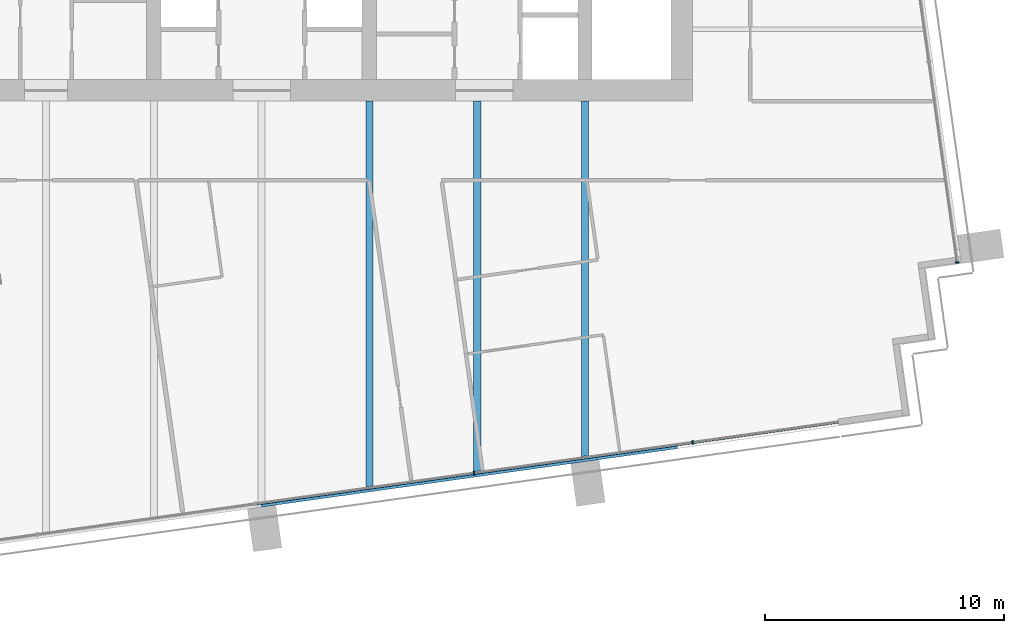
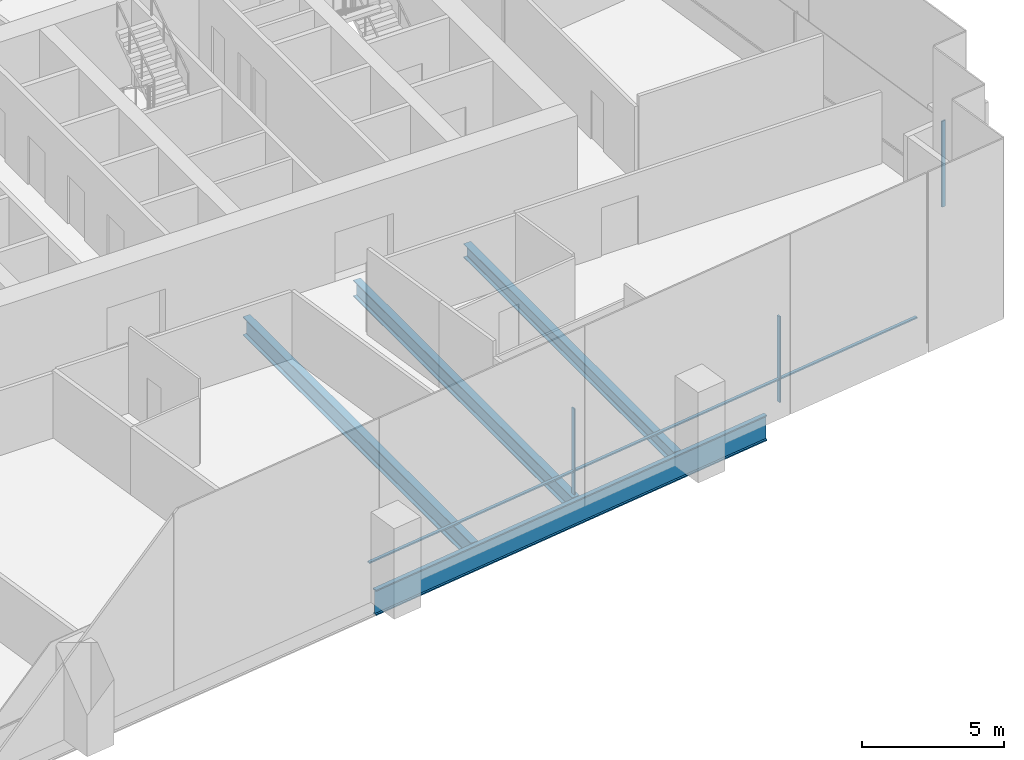
# One storey, part 4 of 17: 6 members, 4 beams, 2 elements without a shape of their own.
"""IFC4 building model written with IfcOpenShell, lengths in metres."""

from ifc_helpers import new_model, si_unit, direction, frame, origin, origin_2d, place, context, subcontext, project, spatial, rectangle, i_section, extrude, material, material_profile, profile_set, type_object, element, aggregate, save


model = new_model("IFC4")

# Units and contexts
model_context = context("Model", 3, precision=1e-05, world=origin(), true_north=direction((0.0, 1.0)))
body_context = subcontext(model_context, "Body", "Model", "MODEL_VIEW")
ifc_project = project(units=[si_unit("LENGTHUNIT", "METRE"), si_unit("AREAUNIT", "SQUARE_METRE"), si_unit("VOLUMEUNIT", "CUBIC_METRE"), si_unit("PLANEANGLEUNIT", "RADIAN"), si_unit("MASSUNIT", "GRAM", prefix="KILO")], contexts=[model_context])

# Site, building, storey
site_placement = place(None, origin())
site = spatial("IfcSite", under=ifc_project, at=site_placement, CompositionType="ELEMENT")
building_placement = place(site_placement, origin())
building = spatial("IfcBuilding", under=site, at=building_placement, Name="Rattan Terrace Tower", CompositionType="ELEMENT")
storey_placement = place(building_placement, frame((0.0, 0.0, 191.89990234375)))
storey = spatial("IfcBuildingStorey", under=building, at=storey_placement, Name="L44", CompositionType="ELEMENT", Elevation=191.89990234375)

# Curtain wall, member
ifc_material_1 = material(Name="Aluminium and glass", Category="aluminium")
curtain_wall_type = type_object("IfcCurtainWallType", Name="Facade Unitised Curtain Wall", PredefinedType="NOTDEFINED", material=ifc_material_1)
curtain_wall_1_placement = place(storey_placement, origin())
curtain_wall_1 = element("IfcCurtainWall", 1, at=curtain_wall_1_placement, inside=storey, type_object=curtain_wall_type, Name="Curtain wall L44-1", PredefinedType="NOTDEFINED")
ifc_material_2 = material(Name="Aluminium", Category="aluminium")
ifc_material_profile_1 = material_profile(ifc_material_2, rectangle(XDim=0.06005859375, YDim=0.159912109375, at=origin_2d()), Name="Aluminium 60x160")
ifc_profile_set_1 = profile_set([ifc_material_profile_1], Name="Aluminium")
member_type_1 = type_object("IfcMemberType", Name="Facade CW Mullion 60x160", PredefinedType="MULLION", material=ifc_profile_set_1)
member_1_placement = place(storey_placement, frame((29.037109375, -14.2333984375, 0.0), z_axis=(0.0, 0.0, 1.0), x_axis=(-0.139190856006, 0.99026557327, 0.0)))
member_1 = element("IfcMember", 2, at=member_1_placement, type_object=member_type_1, Name="Mullion cwl-L44-001.1", PredefinedType="MULLION", context=body_context, shape_type="SweptSolid", body=[
    extrude(rectangle(XDim=0.06005859375, YDim=0.159912109375, at=origin_2d()), origin(), (0.0, 0.0, 1.0), 3.7001953125),
])
aggregate(curtain_wall_1, [member_1])

# Curtain wall, members
curtain_wall_2_placement = place(storey_placement, origin())
curtain_wall_2 = element("IfcCurtainWall", 3, at=curtain_wall_2_placement, inside=storey, type_object=curtain_wall_type, Name="Curtain wall L44-4", PredefinedType="NOTDEFINED")
member_2_placement = place(storey_placement, frame((8.873291015625, -23.0302734375, 0.0), z_axis=(0.0, 0.0, 1.0), x_axis=(0.990269702686, 0.139161474347, 0.0)))
member_2 = element("IfcMember", 4, at=member_2_placement, type_object=member_type_1, Name="Mullion cwl-L44-004.4", PredefinedType="MULLION", context=body_context, shape_type="SweptSolid", body=[
    extrude(rectangle(XDim=0.06005859375, YDim=0.159912109375, at=origin_2d()), origin(), (0.0, 0.0, 1.0), 3.7001953125),
])
member_3_placement = place(storey_placement, frame((17.996826171875, -21.748291015625, 0.0), z_axis=(0.0, 0.0, 1.0), x_axis=(0.990269702686, 0.139161474347, 0.0)))
member_3 = element("IfcMember", 5, at=member_3_placement, type_object=member_type_1, Name="Mullion cwl-L44-004.5", PredefinedType="MULLION", context=body_context, shape_type="SweptSolid", body=[
    extrude(rectangle(XDim=0.06005859375, YDim=0.159912109375, at=origin_2d()), origin(), (0.0, 0.0, 1.0), 3.7001953125),
])
ifc_material_3 = material(Name="Aluminium", Category="aluminium")
ifc_material_profile_2 = material_profile(ifc_material_3, rectangle(XDim=0.1201171875, YDim=0.06005859375, at=origin_2d()), Name="Aluminium 120x60")
ifc_profile_set_2 = profile_set([ifc_material_profile_2], Name="Aluminium")
member_type_2 = type_object("IfcMemberType", Name="Facade CW Transom 120x60", PredefinedType="USERDEFINED", material=ifc_profile_set_2)
member_4_placement = place(storey_placement, frame((-0.22021484375, -24.308349609375, 1.0), z_axis=(0.990267035849, 0.139180450171, 0.0), x_axis=(-0.139180450171, 0.990267035849, 0.0)))
member_4 = element("IfcMember", 6, at=member_4_placement, type_object=member_type_2, Name="Transom cwl-L44-004.3", ObjectType="TRANSOM", PredefinedType="USERDEFINED", context=body_context, shape_type="SweptSolid", body=[
    extrude(rectangle(XDim=0.1201171875, YDim=0.06005859375, at=origin_2d()), origin(), (0.0, 0.0, 1.0), 9.153076171875),
])
member_5_placement = place(storey_placement, frame((8.903076171875, -23.026123046875, 1.0), z_axis=(0.990270711765, 0.139154293575, 0.0), x_axis=(-0.139154293575, 0.990270711765, 0.0)))
member_5 = element("IfcMember", 7, at=member_5_placement, type_object=member_type_2, Name="Transom cwl-L44-004.4", ObjectType="TRANSOM", PredefinedType="USERDEFINED", context=body_context, shape_type="SweptSolid", body=[
    extrude(rectangle(XDim=0.1201171875, YDim=0.06005859375, at=origin_2d()), origin(), (0.0, 0.0, 1.0), 9.153076171875),
])
member_6_placement = place(storey_placement, frame((18.0263671875, -21.744140625, 1.0), z_axis=(0.990267752185, 0.139175353357, 0.0), x_axis=(-0.139175353357, 0.990267752185, 0.0)))
member_6 = element("IfcMember", 8, at=member_6_placement, type_object=member_type_2, Name="Transom cwl-L44-004.5", ObjectType="TRANSOM", PredefinedType="USERDEFINED", context=body_context, shape_type="SweptSolid", body=[
    extrude(rectangle(XDim=0.1201171875, YDim=0.06005859375, at=origin_2d()), origin(), (0.0, 0.0, 1.0), 6.11865234375),
])
aggregate(curtain_wall_2, [member_2, member_3, member_4, member_5, member_6])

# Beams
ifc_material_4 = material(Name="Steel S460", Category="steel")
ifc_material_profile_3 = material_profile(ifc_material_4, i_section(OverallWidth=0.179931640625, OverallDepth=1.10009765625, WebThickness=0.01611328125, FlangeThickness=0.050048828125, at=origin_2d()), Name="PG 1100x180-16-50")
ifc_profile_set_3 = profile_set([ifc_material_profile_3], Name="Steel S460")
beam_type_1 = type_object("IfcBeamType", Name="Frame edge girder PG 1100x180-16-50", PredefinedType="SPANDREL", material=ifc_profile_set_3)
beam_1_placement = place(storey_placement, frame((17.347900390625, -21.9208984375, -0.75), z_axis=(-0.990273554652, -0.139134061096, 0.0), x_axis=(0.139134061096, -0.990273554652, 0.0)))
element("IfcBeam", 9, at=beam_1_placement, inside=storey, type_object=beam_type_1, Name="gdr-L44-002", PredefinedType="SPANDREL", context=body_context, shape_type="SweptSolid", body=[
    extrude(i_section(OverallWidth=0.179931640625, OverallDepth=1.10009765625, WebThickness=0.01611328125, FlangeThickness=0.050048828125, at=origin_2d()), origin(), (0.0, 0.0, 1.0), 17.53125),
])
ifc_material_5 = material(Name="Steel S355", Category="steel")
ifc_material_profile_4 = material_profile(ifc_material_5, i_section(OverallWidth=0.300048828125, OverallDepth=0.60009765625, WebThickness=0.015380859375, FlangeThickness=0.030029296875, FilletRadius=0.027099609375, at=origin_2d()), Name="HE 600 B")
ifc_profile_set_4 = profile_set([ifc_material_profile_4], Name="Steel S355")
beam_type_2 = type_object("IfcBeamType", Name="Frame floor beam HE 600 B", PredefinedType="JOIST", material=ifc_profile_set_4)
beam_2_placement = place(storey_placement, frame((13.5, -22.35009765625, -0.5), z_axis=(0.0, 1.0, 0.0), x_axis=(-1.0, 0.0, 0.0)))
element("IfcBeam", 10, at=beam_2_placement, inside=storey, type_object=beam_type_2, Name="bm-L44-009", PredefinedType="JOIST", context=body_context, shape_type="SweptSolid", body=[
    extrude(i_section(OverallWidth=0.300048828125, OverallDepth=0.60009765625, WebThickness=0.015380859375, FlangeThickness=0.030029296875, FilletRadius=0.027099609375, at=origin_2d()), origin(), (0.0, 0.0, 1.0), 14.85009765625),
])
ifc_material_6 = material(Name="Steel S355", Category="steel")
ifc_material_profile_5 = material_profile(ifc_material_6, i_section(OverallWidth=0.300048828125, OverallDepth=0.699951171875, WebThickness=0.01708984375, FlangeThickness=0.031982421875, FilletRadius=0.027099609375, at=origin_2d()), Name="HE 700 B")
ifc_profile_set_5 = profile_set([ifc_material_profile_5], Name="Steel S355")
beam_type_3 = type_object("IfcBeamType", Name="Frame floor beam HE 700 B", PredefinedType="JOIST", material=ifc_profile_set_5)
beam_3_placement = place(storey_placement, frame((9.0, -22.98193359375, -0.5498046875), z_axis=(0.0, 1.0, 0.0), x_axis=(-1.0, 0.0, 0.0)))
element("IfcBeam", 11, at=beam_3_placement, inside=storey, type_object=beam_type_3, Name="bm-L44-008", PredefinedType="JOIST", context=body_context, shape_type="SweptSolid", body=[
    extrude(i_section(OverallWidth=0.300048828125, OverallDepth=0.699951171875, WebThickness=0.01708984375, FlangeThickness=0.031982421875, FilletRadius=0.027099609375, at=origin_2d()), origin(), (0.0, 0.0, 1.0), 15.48193359375),
])
ifc_material_7 = material(Name="Steel S355", Category="steel")
ifc_material_profile_6 = material_profile(ifc_material_7, i_section(OverallWidth=0.300048828125, OverallDepth=0.800048828125, WebThickness=0.017578125, FlangeThickness=0.032958984375, FilletRadius=0.030029296875, at=origin_2d()), Name="HE 800 B")
ifc_profile_set_6 = profile_set([ifc_material_profile_6], Name="Steel S355")
beam_type_4 = type_object("IfcBeamType", Name="Frame floor beam HE 800 B", PredefinedType="JOIST", material=ifc_profile_set_6)
beam_4_placement = place(storey_placement, frame((4.5, -23.614013671875, -0.599853515625), z_axis=(0.0, 1.0, 0.0), x_axis=(-1.0, 0.0, 0.0)))
element("IfcBeam", 12, at=beam_4_placement, inside=storey, type_object=beam_type_4, Name="bm-L44-007", PredefinedType="JOIST", context=body_context, shape_type="SweptSolid", body=[
    extrude(i_section(OverallWidth=0.300048828125, OverallDepth=0.800048828125, WebThickness=0.017578125, FlangeThickness=0.032958984375, FilletRadius=0.030029296875, at=origin_2d()), origin(), (0.0, 0.0, 1.0), 16.114013671875),
])

save(model, "model.ifc")
